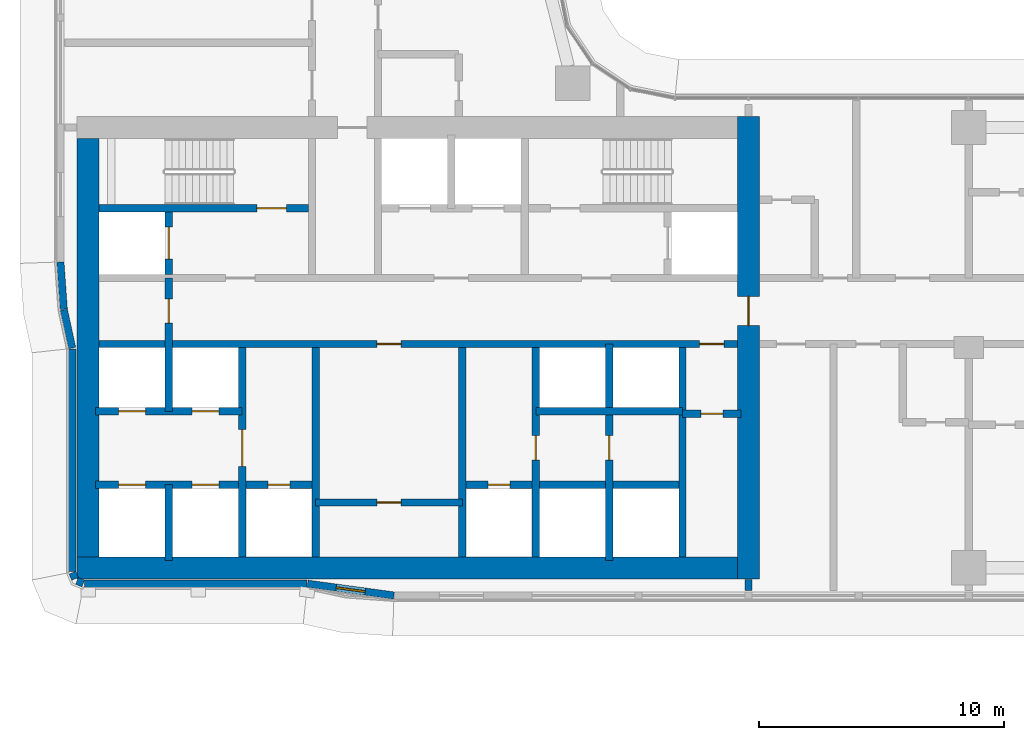
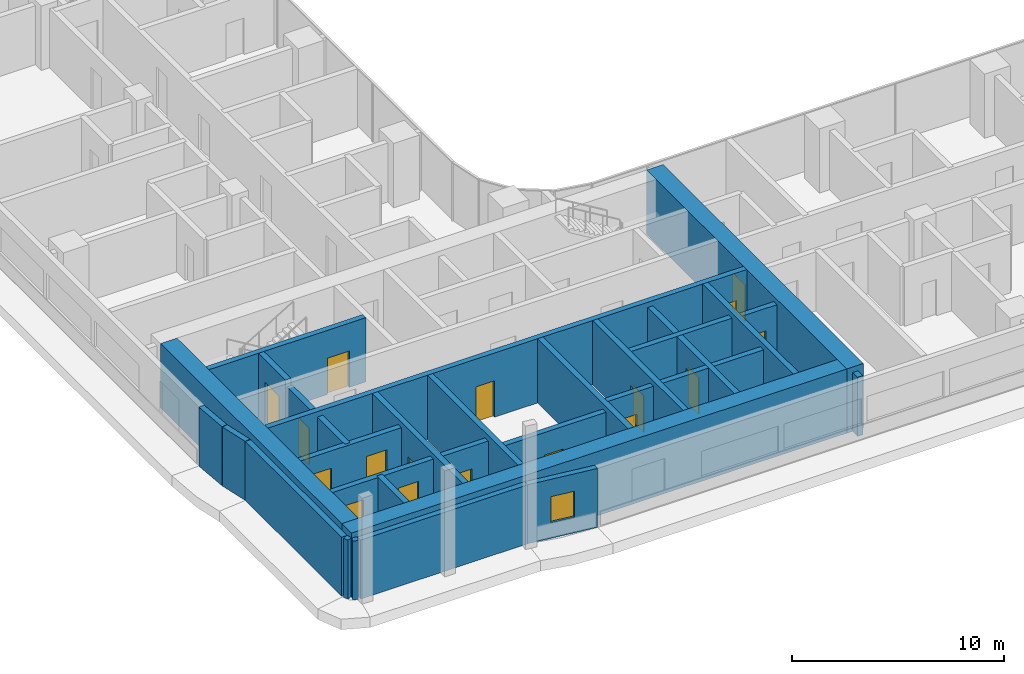
# One storey, part 19 of 39: 28 walls, 17 doors, 1 window, 18 openings.
"""IFC4 building model written with IfcOpenShell, lengths in metres."""

from ifc_helpers import new_model, si_unit, direction, frame, frame_2d, origin, place, context, subcontext, project, spatial, rectangle, extrude, material, layer, layer_set, type_object, element, fill, save


model = new_model("IFC4")

# Units and contexts
model_context = context("Model", 3, precision=1e-05, world=origin(), true_north=direction((0.0, 1.0)))
body_context = subcontext(model_context, "Body", "Model", "MODEL_VIEW")
ifc_project = project(units=[si_unit("LENGTHUNIT", "METRE"), si_unit("AREAUNIT", "SQUARE_METRE"), si_unit("VOLUMEUNIT", "CUBIC_METRE"), si_unit("PLANEANGLEUNIT", "RADIAN"), si_unit("MASSUNIT", "GRAM", prefix="KILO")], contexts=[model_context])

# Site, building, storey
site_placement = place(None, origin())
site = spatial("IfcSite", under=ifc_project, at=site_placement, CompositionType="ELEMENT")
building_placement = place(site_placement, origin())
building = spatial("IfcBuilding", under=site, at=building_placement, Name="Ogive Portal Towers", CompositionType="ELEMENT")
storey_placement = place(building_placement, frame((0.0, 0.0, 44.60009765625)))
storey = spatial("IfcBuildingStorey", under=building, at=storey_placement, Name="L09", CompositionType="ELEMENT", Elevation=44.60009765625)

# Wall, opening, door
ifc_material_1 = material(Name="Concrete C60/75", Category="concrete")
ifc_layer_1 = layer(ifc_material_1, 0.300048828125)
ifc_layer_set_1 = layer_set([ifc_layer_1], Name="CORE WALL 300 C60")
wall_type_1 = type_object("IfcWallType", Name="CORE WALL 300 C60", PredefinedType="SHEAR", material=ifc_layer_set_1)
wall_1_placement = place(storey_placement, frame((37.800048828125, 21.949951171875, 0.0), z_axis=(0.0, 0.0, 1.0), x_axis=(0.0, 1.0, 0.0)))
wall_1 = element("IfcWall", 1, at=wall_1_placement, inside=storey, type_object=wall_type_1, Name="Core wall X1 L09", PredefinedType="SHEAR", context=body_context, shape_type="SweptSolid", body=[
    extrude(rectangle(XDim=8.550048828125, YDim=0.300048828125, at=frame_2d((4.27490234375, 0.0))), origin(), (0.0, 0.0, 1.0), 3.699951171875),
])
opening_1_placement = place(wall_1_placement, frame((3.699951171875, 0.0, 0.0)))
opening_1 = element("IfcOpeningElement", 2, at=opening_1_placement, cuts=wall_1, Name="Opening D02-001", PredefinedType="OPENING", context=body_context, shape_type="SweptSolid", body=[
    extrude(rectangle(XDim=1.5, YDim=2.10009765625, at=frame_2d((0.75, 1.050048828125))), frame((0.0, 0.16015625, 0.0), z_axis=(0.0, -1.0, 0.0), x_axis=(1.0, 0.0, 0.0)), (0.0, 0.0, 1.0), 0.320068359375),
])
ifc_material_2 = material(Name="Steel fire door", Category="steel")
door_type_1 = type_object("IfcDoorType", Name="DT-SWING-1500x2100-FD90S", OperationType="SINGLE_SWING_LEFT", PredefinedType="DOOR", material=ifc_material_2)
door_1_placement = place(opening_1_placement, origin())
door_1 = element("IfcDoor", 3, at=door_1_placement, inside=storey, type_object=door_type_1, Name="Door D02-001", OperationType="SINGLE_SWING_LEFT", OverallHeight=2.10009765625, OverallWidth=1.5, PredefinedType="DOOR", context=body_context, shape_type="SweptSolid", body=[
    extrude(rectangle(XDim=1.5, YDim=2.10009765625, at=frame_2d((0.75, 1.050048828125))), frame((0.0, 0.02490234375, 0.0), z_axis=(0.0, -1.0, 0.0), x_axis=(1.0, 0.0, 0.0)), (0.0, 0.0, 1.0), 0.050048828125),
])
fill(opening_1, door_1)

# Walls
for number, where, z_axis, x_axis, name in (
    (4, (40.800048828125, 21.949951171875, 0.0), (0.0, 0.0, 1.0), (0.0, 1.0, 0.0), "Core wall X2 L09"),
    (5, (46.800048828125, 21.949951171875, 0.0), (0.0, 0.0, 1.0), (0.0, 1.0, 0.0), "Core wall X3 L09"),
):
    element("IfcWall", number, at=place(storey_placement, frame(where, z_axis=z_axis, x_axis=x_axis)), inside=storey, type_object=wall_type_1, Name=name, PredefinedType="SHEAR", context=body_context, shape_type="SweptSolid", body=[
        extrude(rectangle(XDim=8.550048828125, YDim=0.300048828125, at=frame_2d((4.27490234375, 0.0))), origin(), (0.0, 0.0, 1.0), 3.699951171875),
    ])

# Wall, opening, door
wall_2_placement = place(storey_placement, frame((49.800048828125, 21.949951171875, 0.0), z_axis=(0.0, 0.0, 1.0), x_axis=(0.0, 1.0, 0.0)))
wall_2 = element("IfcWall", 6, at=wall_2_placement, inside=storey, type_object=wall_type_1, Name="Core wall X4 L09", PredefinedType="SHEAR", context=body_context, shape_type="SweptSolid", body=[
    extrude(rectangle(XDim=8.550048828125, YDim=0.300048828125, at=frame_2d((4.27490234375, 0.0))), origin(), (0.0, 0.0, 1.0), 3.699951171875),
])
opening_2_placement = place(wall_2_placement, frame((3.949951171875, 0.0, 0.0)))
opening_2 = element("IfcOpeningElement", 7, at=opening_2_placement, cuts=wall_2, Name="Opening D02-023", PredefinedType="OPENING", context=body_context, shape_type="SweptSolid", body=[
    extrude(rectangle(XDim=1.0, YDim=2.10009765625, at=frame_2d((0.5, 1.050048828125))), frame((0.0, 0.16015625, 0.0), z_axis=(0.0, -1.0, 0.0), x_axis=(1.0, 0.0, 0.0)), (0.0, 0.0, 1.0), 0.320068359375),
])
door_type_2 = type_object("IfcDoorType", Name="DT-SWING-1000x2100-FD90S", OperationType="SINGLE_SWING_LEFT", PredefinedType="DOOR", material=ifc_material_2)
door_2_placement = place(opening_2_placement, origin())
door_2 = element("IfcDoor", 8, at=door_2_placement, inside=storey, type_object=door_type_2, Name="Door D02-023", OperationType="SINGLE_SWING_LEFT", OverallHeight=2.10009765625, OverallWidth=1.0, PredefinedType="DOOR", context=body_context, shape_type="SweptSolid", body=[
    extrude(rectangle(XDim=1.0, YDim=2.10009765625, at=frame_2d((0.5, 1.050048828125))), frame((0.0, 0.02490234375, 0.0), z_axis=(0.0, -1.0, 0.0), x_axis=(1.0, 0.0, 0.0)), (0.0, 0.0, 1.0), 0.050048828125),
])
fill(opening_2, door_2)

# Wall
wall_3_placement = place(storey_placement, frame((55.800048828125, 21.949951171875, 0.0), z_axis=(0.0, 0.0, 1.0), x_axis=(0.0, 1.0, 0.0)))
element("IfcWall", 9, at=wall_3_placement, inside=storey, type_object=wall_type_1, Name="Core wall X5 L09", PredefinedType="SHEAR", context=body_context, shape_type="SweptSolid", body=[
    extrude(rectangle(XDim=8.550048828125, YDim=0.300048828125, at=frame_2d((4.27490234375, 0.0))), origin(), (0.0, 0.0, 1.0), 3.699951171875),
])

# Wall, openings, doors
wall_4_placement = place(storey_placement, frame((31.949951171875, 30.64990234375, 0.0), z_axis=(0.0, 0.0, 1.0), x_axis=(1.0, 0.0, 0.0)))
wall_4 = element("IfcWall", 10, at=wall_4_placement, inside=storey, type_object=wall_type_1, Name="Core wall Y1 L09", PredefinedType="SHEAR", context=body_context, shape_type="SweptSolid", body=[
    extrude(rectangle(XDim=26.10009765625, YDim=0.300048828125, at=frame_2d((13.050048828125, 0.0))), origin(), (0.0, 0.0, 1.0), 3.699951171875),
])
opening_3_placement = place(wall_4_placement, frame((24.550048828125, 0.0, 0.0)))
opening_3 = element("IfcOpeningElement", 11, at=opening_3_placement, cuts=wall_4, Name="Opening D02-009", PredefinedType="OPENING", context=body_context, shape_type="SweptSolid", body=[
    extrude(rectangle(XDim=1.0, YDim=2.10009765625, at=frame_2d((0.5, 1.050048828125))), frame((0.0, 0.16015625, 0.0), z_axis=(0.0, -1.0, 0.0), x_axis=(1.0, 0.0, 0.0)), (0.0, 0.0, 1.0), 0.320068359375),
])
opening_4_placement = place(wall_4_placement, frame((11.35009765625, 0.0, 0.0)))
opening_4 = element("IfcOpeningElement", 12, at=opening_4_placement, cuts=wall_4, Name="Opening D02-021", PredefinedType="OPENING", context=body_context, shape_type="SweptSolid", body=[
    extrude(rectangle(XDim=1.0, YDim=2.10009765625, at=frame_2d((0.5, 1.050048828125))), frame((0.0, 0.16015625, 0.0), z_axis=(0.0, -1.0, 0.0), x_axis=(1.0, 0.0, 0.0)), (0.0, 0.0, 1.0), 0.320068359375),
])
door_3_placement = place(opening_3_placement, origin())
door_3 = element("IfcDoor", 13, at=door_3_placement, inside=storey, type_object=door_type_2, Name="Door D02-009", OperationType="SINGLE_SWING_LEFT", OverallHeight=2.10009765625, OverallWidth=1.0, PredefinedType="DOOR", context=body_context, shape_type="SweptSolid", body=[
    extrude(rectangle(XDim=1.0, YDim=2.10009765625, at=frame_2d((0.5, 1.050048828125))), frame((0.0, 0.02490234375, 0.0), z_axis=(0.0, -1.0, 0.0), x_axis=(1.0, 0.0, 0.0)), (0.0, 0.0, 1.0), 0.050048828125),
])
fill(opening_3, door_3)
door_4_placement = place(opening_4_placement, origin())
door_4 = element("IfcDoor", 14, at=door_4_placement, inside=storey, type_object=door_type_2, Name="Door D02-021", OperationType="SINGLE_SWING_LEFT", OverallHeight=2.10009765625, OverallWidth=1.0, PredefinedType="DOOR", context=body_context, shape_type="SweptSolid", body=[
    extrude(rectangle(XDim=1.0, YDim=2.10009765625, at=frame_2d((0.5, 1.050048828125))), frame((0.0, 0.02490234375, 0.0), z_axis=(0.0, -1.0, 0.0), x_axis=(1.0, 0.0, 0.0)), (0.0, 0.0, 1.0), 0.050048828125),
])
fill(opening_4, door_4)

# Wall, opening, door
wall_5_placement = place(storey_placement, frame((31.949951171875, 36.199951171875, 0.0), z_axis=(0.0, 0.0, 1.0), x_axis=(1.0, 0.0, 0.0)))
wall_5 = element("IfcWall", 15, at=wall_5_placement, inside=storey, type_object=wall_type_1, Name="Core wall Y3a L09", PredefinedType="SHEAR", context=body_context, shape_type="SweptSolid", body=[
    extrude(rectangle(XDim=8.550048828125, YDim=0.300048828125, at=frame_2d((4.27490234375, 0.0))), origin(), (0.0, 0.0, 1.0), 3.699951171875),
])
opening_5_placement = place(wall_5_placement, frame((6.449951171875, 0.0, 0.0)))
opening_5 = element("IfcOpeningElement", 16, at=opening_5_placement, cuts=wall_5, Name="Opening D02-005", PredefinedType="OPENING", context=body_context, shape_type="SweptSolid", body=[
    extrude(rectangle(XDim=1.199951171875, YDim=2.10009765625, at=frame_2d((0.60009765625, 1.050048828125))), frame((0.0, 0.16015625, 0.0), z_axis=(0.0, -1.0, 0.0), x_axis=(1.0, 0.0, 0.0)), (0.0, 0.0, 1.0), 0.320068359375),
])
door_type_3 = type_object("IfcDoorType", Name="DT-SWING-1200x2100-FD90S", OperationType="SINGLE_SWING_LEFT", PredefinedType="DOOR", material=ifc_material_2)
door_5_placement = place(opening_5_placement, origin())
door_5 = element("IfcDoor", 17, at=door_5_placement, inside=storey, type_object=door_type_3, Name="Door D02-005", OperationType="SINGLE_SWING_RIGHT", OverallHeight=2.10009765625, OverallWidth=1.199951171875, PredefinedType="DOOR", context=body_context, shape_type="SweptSolid", body=[
    extrude(rectangle(XDim=1.199951171875, YDim=2.10009765625, at=frame_2d((0.60009765625, 1.050048828125))), frame((0.0, 0.02490234375, 0.0), z_axis=(0.0, -1.0, 0.0), x_axis=(1.0, 0.0, 0.0)), (0.0, 0.0, 1.0), 0.050048828125),
])
fill(opening_5, door_5)

wall_6_placement = place(storey_placement, frame((34.800048828125, 33.5, 0.0), z_axis=(0.0, 0.0, 1.0), x_axis=(0.0, 1.0, 0.0)))
wall_6 = element("IfcWall", 18, at=wall_6_placement, inside=storey, type_object=wall_type_1, Name="Core wall X8 L09", PredefinedType="SHEAR", context=body_context, shape_type="SweptSolid", body=[
    extrude(rectangle(XDim=2.550048828125, YDim=0.300048828125, at=frame_2d((1.27490234375, 0.0))), origin(), (0.0, 0.0, 1.0), 3.699951171875),
])
opening_6_placement = place(wall_6_placement, frame((0.625, 0.0, 0.0)))
opening_6 = element("IfcOpeningElement", 19, at=opening_6_placement, cuts=wall_6, Name="Opening D02-019", PredefinedType="OPENING", context=body_context, shape_type="SweptSolid", body=[
    extrude(rectangle(XDim=1.300048828125, YDim=2.39990234375, at=frame_2d((0.64990234375, 1.199951171875))), frame((0.0, 0.16015625, 0.0), z_axis=(0.0, -1.0, 0.0), x_axis=(1.0, 0.0, 0.0)), (0.0, 0.0, 1.0), 0.320068359375),
])
ifc_material_3 = material(Name="Stainless steel", Category="steel")
door_type_4 = type_object("IfcDoorType", Name="DT-LD-1300x2400", OperationType="SLIDING_TO_LEFT", PredefinedType="DOOR", material=ifc_material_3)
door_6_placement = place(opening_6_placement, origin())
door_6 = element("IfcDoor", 20, at=door_6_placement, inside=storey, type_object=door_type_4, Name="Door D02-019", OperationType="SLIDING_TO_LEFT", OverallHeight=2.39990234375, OverallWidth=1.300048828125, PredefinedType="DOOR", context=body_context, shape_type="SweptSolid", body=[
    extrude(rectangle(XDim=1.300048828125, YDim=2.39990234375, at=frame_2d((0.64990234375, 1.199951171875))), frame((0.0, 0.02490234375, 0.0), z_axis=(0.0, -1.0, 0.0), x_axis=(1.0, 0.0, 0.0)), (0.0, 0.0, 1.0), 0.050048828125),
])
fill(opening_6, door_6)

# Walls
ifc_layer_2 = layer(ifc_material_1, 0.89990234375)
ifc_layer_set_2 = layer_set([ifc_layer_2], Name="CORE WALL 900 C60")
wall_type_2 = type_object("IfcWallType", Name="CORE WALL 900 C60", PredefinedType="SHEAR", material=ifc_layer_set_2)
wall_7_placement = place(storey_placement, frame((31.5, 21.949951171875, 0.0), z_axis=(0.0, 0.0, 1.0), x_axis=(0.0, 1.0, 0.0)))
element("IfcWall", 21, at=wall_7_placement, inside=storey, type_object=wall_type_2, Name="Core wall W L09", PredefinedType="SHEAR", context=body_context, shape_type="SweptSolid", body=[
    extrude(rectangle(XDim=17.10009765625, YDim=0.89990234375, at=frame_2d((8.550048828125, 0.0))), origin(), (0.0, 0.0, 1.0), 3.699951171875),
])
wall_8_placement = place(storey_placement, frame((31.050048828125, 21.5, 0.0), z_axis=(0.0, 0.0, 1.0), x_axis=(1.0, 0.0, 0.0)))
element("IfcWall", 22, at=wall_8_placement, inside=storey, type_object=wall_type_2, Name="Core wall S L09", PredefinedType="SHEAR", context=body_context, shape_type="SweptSolid", body=[
    extrude(rectangle(XDim=27.0, YDim=0.89990234375, at=frame_2d((13.5, 0.0))), origin(), (0.0, 0.0, 1.0), 3.699951171875),
])

# Wall, opening, door
wall_9_placement = place(storey_placement, frame((58.5, 21.050048828125, 0.0), z_axis=(0.0, 0.0, 1.0), x_axis=(0.0, 1.0, 0.0)))
wall_9 = element("IfcWall", 23, at=wall_9_placement, inside=storey, type_object=wall_type_2, Name="Core wall E L09", PredefinedType="SHEAR", context=body_context, shape_type="SweptSolid", body=[
    extrude(rectangle(XDim=18.89990234375, YDim=0.89990234375, at=frame_2d((9.449951171875, 0.0))), origin(), (0.0, 0.0, 1.0), 3.699951171875),
])
opening_7_placement = place(wall_9_placement, frame((10.35009765625, 0.0, 0.0)))
opening_7 = element("IfcOpeningElement", 24, at=opening_7_placement, cuts=wall_9, Name="Opening D02-011", PredefinedType="OPENING", context=body_context, shape_type="SweptSolid", body=[
    extrude(rectangle(XDim=1.199951171875, YDim=2.10009765625, at=frame_2d((0.60009765625, 1.050048828125))), frame((0.0, 0.4599609375, 0.0), z_axis=(0.0, -1.0, 0.0), x_axis=(1.0, 0.0, 0.0)), (0.0, 0.0, 1.0), 0.919921875),
])
door_7_placement = place(opening_7_placement, origin())
door_7 = element("IfcDoor", 25, at=door_7_placement, inside=storey, type_object=door_type_3, Name="Door D02-011", OperationType="SINGLE_SWING_LEFT", OverallHeight=2.10009765625, OverallWidth=1.199951171875, PredefinedType="DOOR", context=body_context, shape_type="SweptSolid", body=[
    extrude(rectangle(XDim=1.199951171875, YDim=2.10009765625, at=frame_2d((0.60009765625, 1.050048828125))), frame((0.0, 0.02490234375, 0.0), z_axis=(0.0, -1.0, 0.0), x_axis=(1.0, 0.0, 0.0)), (0.0, 0.0, 1.0), 0.050048828125),
])
fill(opening_7, door_7)

# Walls
ifc_material_4 = material(Name="Limestone cladding on lightweight block wall", Category="masonry")
ifc_layer_3 = layer(ifc_material_4, 0.300048828125)
ifc_layer_set_3 = layer_set([ifc_layer_3], Name="EXTERNAL WALL 300 STONE")
wall_type_3 = type_object("IfcWallType", Name="EXTERNAL WALL 300 STONE", PredefinedType="SOLIDWALL", material=ifc_layer_set_3)
wall_10_placement = place(storey_placement, frame((30.85009765625, 30.45361328125, 0.0), z_axis=(0.0, 0.0, 1.0), x_axis=(0.0, -1.0, 0.0)))
element("IfcWall", 26, at=wall_10_placement, inside=storey, type_object=wall_type_3, Name="A:L09:f00:r0:wall", PredefinedType="SOLIDWALL", context=body_context, shape_type="SweptSolid", body=[
    extrude(rectangle(XDim=9.093994140625, YDim=0.300048828125, at=frame_2d((4.546875, 0.0))), origin(), (0.0, 0.0, 1.0), 3.39990234375),
])
for number, where, z_axis, x_axis, name in (
    (27, (30.861328125, 21.30224609375, 0.0), (0.0, 0.0, 1.0), (0.38297812142, -0.923757413239, 0.0), "A:L09:f01:r0:wall"),
    (28, (31.0478515625, 20.966796875, 0.0), (0.0, 0.0, 1.0), (0.923757413239, -0.38297812142, 0.0), "A:L09:f02:r0:wall"),
):
    element("IfcWall", number, at=place(storey_placement, frame(where, z_axis=z_axis, x_axis=x_axis)), inside=storey, type_object=wall_type_3, Name=name, PredefinedType="SOLIDWALL", context=body_context, shape_type="SweptSolid", body=[
        extrude(rectangle(XDim=0.275390625, YDim=0.300048828125, at=frame_2d((0.1376953125, 0.0))), origin(), (0.0, 0.0, 1.0), 3.39990234375),
    ])
wall_11_placement = place(storey_placement, frame((31.359619140625, 20.85009765625, 0.0), z_axis=(0.0, 0.0, 1.0), x_axis=(1.0, 0.0, 0.0)))
element("IfcWall", 29, at=wall_11_placement, inside=storey, type_object=wall_type_3, Name="A:L09:f03:r0:wall", PredefinedType="SOLIDWALL", context=body_context, shape_type="SweptSolid", body=[
    extrude(rectangle(XDim=9.093994140625, YDim=0.300048828125, at=frame_2d((4.546875, 0.0))), origin(), (0.0, 0.0, 1.0), 3.39990234375),
])

# Wall, opening, window
wall_12_placement = place(storey_placement, frame((40.47412109375, 20.8486328125, 0.0), z_axis=(0.0, 0.0, 1.0), x_axis=(0.990778329255, -0.135492812649, 0.0)))
wall_12 = element("IfcWall", 30, at=wall_12_placement, inside=storey, type_object=wall_type_3, Name="A:L09:f04:r0:wall", PredefinedType="SOLIDWALL", context=body_context, shape_type="SweptSolid", body=[
    extrude(rectangle(XDim=3.55859375, YDim=0.300048828125, at=frame_2d((1.779296875, 0.0))), origin(), (0.0, 0.0, 1.0), 3.39990234375),
])
opening_8_placement = place(wall_12_placement, frame((1.179443359375, 0.0, 0.89990234375)))
opening_8 = element("IfcOpeningElement", 31, at=opening_8_placement, cuts=wall_12, Name="Opening WN9", PredefinedType="OPENING", context=body_context, shape_type="SweptSolid", body=[
    extrude(rectangle(XDim=1.199951171875, YDim=1.5, at=frame_2d((0.60009765625, 0.75))), frame((0.0, 0.16015625, 0.0), z_axis=(0.0, -1.0, 0.0), x_axis=(1.0, 0.0, 0.0)), (0.0, 0.0, 1.0), 0.320068359375),
])
ifc_material_5 = material(Name="Glass, clear low-iron insulated glazing", Category="glass")
window_type = type_object("IfcWindowType", Name="WINDOW HOTEL CASEMENT 1200x1500", PartitioningType="DOUBLE_PANEL_VERTICAL", PredefinedType="WINDOW", material=ifc_material_5)
window_placement = place(opening_8_placement, origin())
window = element("IfcWindow", 32, at=window_placement, inside=storey, type_object=window_type, Name="A:L09:f04:r0:w0", OverallHeight=1.5, OverallWidth=1.199951171875, PartitioningType="SINGLE_PANEL", PredefinedType="WINDOW", context=body_context, shape_type="SweptSolid", body=[
    extrude(rectangle(XDim=1.199951171875, YDim=1.5, at=frame_2d((0.60009765625, 0.75))), frame((0.0, 0.030029296875, 0.0), z_axis=(0.0, -1.0, 0.0), x_axis=(1.0, 0.0, 0.0)), (0.0, 0.0, 1.0), 0.06005859375),
])
fill(opening_8, window)

# Walls
wall_13_placement = place(storey_placement, frame((30.365478515625, 34.0, 0.0), z_axis=(0.0, 0.0, 1.0), x_axis=(0.071300859436, -0.99745485484, 0.0)))
element("IfcWall", 33, at=wall_13_placement, inside=storey, type_object=wall_type_3, Name="A:L09:f24:r0:wall", PredefinedType="SOLIDWALL", context=body_context, shape_type="SweptSolid", body=[
    extrude(rectangle(XDim=1.9345703125, YDim=0.300048828125, at=frame_2d((0.96728515625, 0.0))), origin(), (0.0, 0.0, 1.0), 3.39990234375),
])
wall_14_placement = place(storey_placement, frame((30.50634765625, 32.049072265625, 0.0), z_axis=(0.0, 0.0, 1.0), x_axis=(0.212695686462, -0.977118490747, 0.0)))
element("IfcWall", 34, at=wall_14_placement, inside=storey, type_object=wall_type_3, Name="A:L09:f25:r0:wall", PredefinedType="SOLIDWALL", context=body_context, shape_type="SweptSolid", body=[
    extrude(rectangle(XDim=1.60009765625, YDim=0.300048828125, at=frame_2d((0.800048828125, 0.0))), origin(), (0.0, 0.0, 1.0), 3.39990234375),
])

# Wall, opening, door
ifc_material_6 = material(Name="Gypsum board partition on steel studs", Category="steel")
ifc_layer_4 = layer(ifc_material_6, 0.300048828125)
ifc_layer_set_4 = layer_set([ifc_layer_4], Name="WT-PART-300")
wall_type_4 = type_object("IfcWallType", Name="WT-PART-300", PredefinedType="PARTITIONING", material=ifc_layer_set_4)
wall_15_placement = place(storey_placement, frame((40.800048828125, 24.173095703125, 0.0), z_axis=(0.0, 0.0, 1.0), x_axis=(1.0, 0.0, 0.0)))
wall_15 = element("IfcWall", 35, at=wall_15_placement, inside=storey, type_object=wall_type_4, Name="Wall pw:001:L09", PredefinedType="PARTITIONING", context=body_context, shape_type="SweptSolid", body=[
    extrude(rectangle(XDim=6.0, YDim=0.300048828125, at=frame_2d((3.0, 0.0))), origin(), (0.0, 0.0, 1.0), 3.39990234375),
])
opening_9_placement = place(wall_15_placement, frame((2.5, 0.0, 0.0)))
opening_9 = element("IfcOpeningElement", 36, at=opening_9_placement, cuts=wall_15, Name="Opening D02-022", PredefinedType="OPENING", context=body_context, shape_type="SweptSolid", body=[
    extrude(rectangle(XDim=1.0, YDim=2.10009765625, at=frame_2d((0.5, 1.050048828125))), frame((0.0, 0.16015625, 0.0), z_axis=(0.0, -1.0, 0.0), x_axis=(1.0, 0.0, 0.0)), (0.0, 0.0, 1.0), 0.320068359375),
])
door_type_5 = type_object("IfcDoorType", Name="DT-SWING-1000x2100-FD60S", OperationType="SINGLE_SWING_LEFT", PredefinedType="DOOR", material=ifc_material_2)
door_8_placement = place(opening_9_placement, origin())
door_8 = element("IfcDoor", 37, at=door_8_placement, inside=storey, type_object=door_type_5, Name="Riser access door D02-022", OperationType="SINGLE_SWING_RIGHT", OverallHeight=2.10009765625, OverallWidth=1.0, PredefinedType="DOOR", context=body_context, shape_type="SweptSolid", body=[
    extrude(rectangle(XDim=1.0, YDim=2.10009765625, at=frame_2d((0.5, 1.050048828125))), frame((0.0, 0.02490234375, 0.0), z_axis=(0.0, -1.0, 0.0), x_axis=(1.0, 0.0, 0.0)), (0.0, 0.0, 1.0), 0.050048828125),
])
fill(opening_9, door_8)

wall_16_placement = place(storey_placement, frame((55.800048828125, 27.800048828125, 0.0), z_axis=(0.0, 0.0, 1.0), x_axis=(1.0, 0.0, 0.0)))
wall_16 = element("IfcWall", 38, at=wall_16_placement, inside=storey, type_object=wall_type_4, Name="Wall pw:004:L09", PredefinedType="PARTITIONING", context=body_context, shape_type="SweptSolid", body=[
    extrude(rectangle(XDim=2.39990234375, YDim=0.300048828125, at=frame_2d((1.199951171875, 0.0))), origin(), (0.0, 0.0, 1.0), 3.39990234375),
])
opening_10_placement = place(wall_16_placement, frame((0.75, 0.0, 0.0)))
opening_10 = element("IfcOpeningElement", 39, at=opening_10_placement, cuts=wall_16, Name="Opening D02-010", PredefinedType="OPENING", context=body_context, shape_type="SweptSolid", body=[
    extrude(rectangle(XDim=0.89990234375, YDim=2.10009765625, at=frame_2d((0.449951171875, 1.050048828125))), frame((0.0, 0.16015625, 0.0), z_axis=(0.0, -1.0, 0.0), x_axis=(1.0, 0.0, 0.0)), (0.0, 0.0, 1.0), 0.320068359375),
])
door_type_6 = type_object("IfcDoorType", Name="DT-SWING-900x2100-FD60S", OperationType="SINGLE_SWING_LEFT", PredefinedType="DOOR", material=ifc_material_2)
door_9_placement = place(opening_10_placement, origin())
door_9 = element("IfcDoor", 40, at=door_9_placement, inside=storey, type_object=door_type_6, Name="Door D02-010", OperationType="SINGLE_SWING_RIGHT", OverallHeight=2.10009765625, OverallWidth=0.89990234375, PredefinedType="DOOR", context=body_context, shape_type="SweptSolid", body=[
    extrude(rectangle(XDim=0.89990234375, YDim=2.10009765625, at=frame_2d((0.449951171875, 1.050048828125))), frame((0.0, 0.02490234375, 0.0), z_axis=(0.0, -1.0, 0.0), x_axis=(1.0, 0.0, 0.0)), (0.0, 0.0, 1.0), 0.050048828125),
])
fill(opening_10, door_9)

# Wall
ifc_layer_5 = layer(ifc_material_6, 0.300048828125)
ifc_layer_set_5 = layer_set([ifc_layer_5], Name="WT-PART-300-EI 60")
wall_type_5 = type_object("IfcWallType", Name="WT-PART-300-EI 60", PredefinedType="PARTITIONING", material=ifc_layer_set_5)
wall_17_placement = place(storey_placement, frame((58.5, 20.56494140625, 0.0), z_axis=(0.0, 0.0, 1.0), x_axis=(0.0, 1.0, 0.0)))
element("IfcWall", 41, at=wall_17_placement, inside=storey, type_object=wall_type_5, Name="Wall L09:w046", PredefinedType="PARTITIONING", context=body_context, shape_type="SweptSolid", body=[
    extrude(rectangle(XDim=0.465087890625, YDim=0.300048828125, at=frame_2d((0.232421875, 0.0))), origin(), (0.0, 0.0, 1.0), 3.39990234375),
])

# Wall, openings, doors
ifc_material_7 = material(Name="Concrete C40/50", Category="concrete")
ifc_layer_6 = layer(ifc_material_7, 0.300048828125)
ifc_layer_set_6 = layer_set([ifc_layer_6], Name="WT-SHAFT-300")
wall_type_6 = type_object("IfcWallType", Name="WT-SHAFT-300", PredefinedType="SOLIDWALL", material=ifc_layer_set_6)
wall_18_placement = place(storey_placement, frame((31.800048828125, 24.89990234375, 0.0), z_axis=(0.0, 0.0, 1.0), x_axis=(1.0, 0.0, 0.0)))
wall_18 = element("IfcWall", 42, at=wall_18_placement, inside=storey, type_object=wall_type_6, Name="Wall pw:002:L09", PredefinedType="SOLIDWALL", context=body_context, shape_type="SweptSolid", body=[
    extrude(rectangle(XDim=9.0, YDim=0.300048828125, at=frame_2d((4.5, 0.0))), origin(), (0.0, 0.0, 1.0), 3.39990234375),
])
opening_11_placement = place(wall_18_placement, frame((7.050048828125, 0.0, 0.0)))
opening_11 = element("IfcOpeningElement", 43, at=opening_11_placement, cuts=wall_18, Name="Opening D02-007", PredefinedType="OPENING", context=body_context, shape_type="SweptSolid", body=[
    extrude(rectangle(XDim=0.89990234375, YDim=2.10009765625, at=frame_2d((0.449951171875, 1.050048828125))), frame((0.0, 0.16015625, 0.0), z_axis=(0.0, -1.0, 0.0), x_axis=(1.0, 0.0, 0.0)), (0.0, 0.0, 1.0), 0.320068359375),
])
opening_12_placement = place(wall_18_placement, frame((0.949951171875, 0.0, 0.0)))
opening_12 = element("IfcOpeningElement", 44, at=opening_12_placement, cuts=wall_18, Name="Opening D02-013", PredefinedType="OPENING", context=body_context, shape_type="SweptSolid", body=[
    extrude(rectangle(XDim=1.10009765625, YDim=2.39990234375, at=frame_2d((0.550048828125, 1.199951171875))), frame((0.0, 0.16015625, 0.0), z_axis=(0.0, -1.0, 0.0), x_axis=(1.0, 0.0, 0.0)), (0.0, 0.0, 1.0), 0.320068359375),
])
opening_13_placement = place(wall_18_placement, frame((3.949951171875, 0.0, 0.0)))
opening_13 = element("IfcOpeningElement", 45, at=opening_13_placement, cuts=wall_18, Name="Opening D02-014", PredefinedType="OPENING", context=body_context, shape_type="SweptSolid", body=[
    extrude(rectangle(XDim=1.10009765625, YDim=2.39990234375, at=frame_2d((0.550048828125, 1.199951171875))), frame((0.0, 0.16015625, 0.0), z_axis=(0.0, -1.0, 0.0), x_axis=(1.0, 0.0, 0.0)), (0.0, 0.0, 1.0), 0.320068359375),
])
door_type_7 = type_object("IfcDoorType", Name="DT-LD-1100x2400", OperationType="SLIDING_TO_LEFT", PredefinedType="DOOR", material=ifc_material_3)
door_10_placement = place(opening_12_placement, origin())
door_10 = element("IfcDoor", 46, at=door_10_placement, inside=storey, type_object=door_type_7, Name="Door D02-013", OperationType="SLIDING_TO_LEFT", OverallHeight=2.39990234375, OverallWidth=1.10009765625, PredefinedType="DOOR", context=body_context, shape_type="SweptSolid", body=[
    extrude(rectangle(XDim=1.10009765625, YDim=2.39990234375, at=frame_2d((0.550048828125, 1.199951171875))), frame((0.0, 0.02490234375, 0.0), z_axis=(0.0, -1.0, 0.0), x_axis=(1.0, 0.0, 0.0)), (0.0, 0.0, 1.0), 0.050048828125),
])
fill(opening_12, door_10)
door_11_placement = place(opening_13_placement, origin())
door_11 = element("IfcDoor", 47, at=door_11_placement, inside=storey, type_object=door_type_7, Name="Door D02-014", OperationType="SLIDING_TO_LEFT", OverallHeight=2.39990234375, OverallWidth=1.10009765625, PredefinedType="DOOR", context=body_context, shape_type="SweptSolid", body=[
    extrude(rectangle(XDim=1.10009765625, YDim=2.39990234375, at=frame_2d((0.550048828125, 1.199951171875))), frame((0.0, 0.02490234375, 0.0), z_axis=(0.0, -1.0, 0.0), x_axis=(1.0, 0.0, 0.0)), (0.0, 0.0, 1.0), 0.050048828125),
])
fill(opening_13, door_11)
door_type_8 = type_object("IfcDoorType", Name="DT-SWING-900x2100-FD90S", OperationType="SINGLE_SWING_LEFT", PredefinedType="DOOR", material=ifc_material_2)
door_12_placement = place(opening_11_placement, origin())
door_12 = element("IfcDoor", 48, at=door_12_placement, inside=storey, type_object=door_type_8, Name="Riser access door D02-007", OperationType="SINGLE_SWING_LEFT", OverallHeight=2.10009765625, OverallWidth=0.89990234375, PredefinedType="DOOR", context=body_context, shape_type="SweptSolid", body=[
    extrude(rectangle(XDim=0.89990234375, YDim=2.10009765625, at=frame_2d((0.449951171875, 1.050048828125))), frame((0.0, 0.02490234375, 0.0), z_axis=(0.0, -1.0, 0.0), x_axis=(1.0, 0.0, 0.0)), (0.0, 0.0, 1.0), 0.050048828125),
])
fill(opening_11, door_12)

# Wall, opening, door
wall_19_placement = place(storey_placement, frame((46.800048828125, 24.89990234375, 0.0), z_axis=(0.0, 0.0, 1.0), x_axis=(1.0, 0.0, 0.0)))
wall_19 = element("IfcWall", 49, at=wall_19_placement, inside=storey, type_object=wall_type_6, Name="Wall pw:003:L09", PredefinedType="SOLIDWALL", context=body_context, shape_type="SweptSolid", body=[
    extrude(rectangle(XDim=9.0, YDim=0.300048828125, at=frame_2d((4.5, 0.0))), origin(), (0.0, 0.0, 1.0), 3.39990234375),
])
opening_14_placement = place(wall_19_placement, frame((1.050048828125, 0.0, 0.0)))
opening_14 = element("IfcOpeningElement", 50, at=opening_14_placement, cuts=wall_19, Name="Opening D02-008", PredefinedType="OPENING", context=body_context, shape_type="SweptSolid", body=[
    extrude(rectangle(XDim=0.89990234375, YDim=2.10009765625, at=frame_2d((0.449951171875, 1.050048828125))), frame((0.0, 0.16015625, 0.0), z_axis=(0.0, -1.0, 0.0), x_axis=(1.0, 0.0, 0.0)), (0.0, 0.0, 1.0), 0.320068359375),
])
door_13_placement = place(opening_14_placement, origin())
door_13 = element("IfcDoor", 51, at=door_13_placement, inside=storey, type_object=door_type_8, Name="Riser access door D02-008", OperationType="SINGLE_SWING_RIGHT", OverallHeight=2.10009765625, OverallWidth=0.89990234375, PredefinedType="DOOR", context=body_context, shape_type="SweptSolid", body=[
    extrude(rectangle(XDim=0.89990234375, YDim=2.10009765625, at=frame_2d((0.449951171875, 1.050048828125))), frame((0.0, 0.02490234375, 0.0), z_axis=(0.0, -1.0, 0.0), x_axis=(1.0, 0.0, 0.0)), (0.0, 0.0, 1.0), 0.050048828125),
])
fill(opening_14, door_13)

# Wall, openings, doors
wall_20_placement = place(storey_placement, frame((31.800048828125, 27.89990234375, 0.0), z_axis=(0.0, 0.0, 1.0), x_axis=(1.0, 0.0, 0.0)))
wall_20 = element("IfcWall", 52, at=wall_20_placement, inside=storey, type_object=wall_type_6, Name="Wall pw:005:L09", PredefinedType="SOLIDWALL", context=body_context, shape_type="SweptSolid", body=[
    extrude(rectangle(XDim=6.0, YDim=0.300048828125, at=frame_2d((3.0, 0.0))), origin(), (0.0, 0.0, 1.0), 3.39990234375),
])
opening_15_placement = place(wall_20_placement, frame((0.949951171875, 0.0, 0.0)))
opening_15 = element("IfcOpeningElement", 53, at=opening_15_placement, cuts=wall_20, Name="Opening D02-015", PredefinedType="OPENING", context=body_context, shape_type="SweptSolid", body=[
    extrude(rectangle(XDim=1.10009765625, YDim=2.39990234375, at=frame_2d((0.550048828125, 1.199951171875))), frame((0.0, 0.16015625, 0.0), z_axis=(0.0, -1.0, 0.0), x_axis=(1.0, 0.0, 0.0)), (0.0, 0.0, 1.0), 0.320068359375),
])
opening_16_placement = place(wall_20_placement, frame((3.949951171875, 0.0, 0.0)))
opening_16 = element("IfcOpeningElement", 54, at=opening_16_placement, cuts=wall_20, Name="Opening D02-016", PredefinedType="OPENING", context=body_context, shape_type="SweptSolid", body=[
    extrude(rectangle(XDim=1.10009765625, YDim=2.39990234375, at=frame_2d((0.550048828125, 1.199951171875))), frame((0.0, 0.16015625, 0.0), z_axis=(0.0, -1.0, 0.0), x_axis=(1.0, 0.0, 0.0)), (0.0, 0.0, 1.0), 0.320068359375),
])
door_14_placement = place(opening_15_placement, origin())
door_14 = element("IfcDoor", 55, at=door_14_placement, inside=storey, type_object=door_type_7, Name="Door D02-015", OperationType="SLIDING_TO_LEFT", OverallHeight=2.39990234375, OverallWidth=1.10009765625, PredefinedType="DOOR", context=body_context, shape_type="SweptSolid", body=[
    extrude(rectangle(XDim=1.10009765625, YDim=2.39990234375, at=frame_2d((0.550048828125, 1.199951171875))), frame((0.0, 0.02490234375, 0.0), z_axis=(0.0, -1.0, 0.0), x_axis=(1.0, 0.0, 0.0)), (0.0, 0.0, 1.0), 0.050048828125),
])
fill(opening_15, door_14)
door_15_placement = place(opening_16_placement, origin())
door_15 = element("IfcDoor", 56, at=door_15_placement, inside=storey, type_object=door_type_7, Name="Door D02-016", OperationType="SLIDING_TO_LEFT", OverallHeight=2.39990234375, OverallWidth=1.10009765625, PredefinedType="DOOR", context=body_context, shape_type="SweptSolid", body=[
    extrude(rectangle(XDim=1.10009765625, YDim=2.39990234375, at=frame_2d((0.550048828125, 1.199951171875))), frame((0.0, 0.02490234375, 0.0), z_axis=(0.0, -1.0, 0.0), x_axis=(1.0, 0.0, 0.0)), (0.0, 0.0, 1.0), 0.050048828125),
])
fill(opening_16, door_15)

# Walls
wall_21_placement = place(storey_placement, frame((49.800048828125, 27.89990234375, 0.0), z_axis=(0.0, 0.0, 1.0), x_axis=(1.0, 0.0, 0.0)))
element("IfcWall", 57, at=wall_21_placement, inside=storey, type_object=wall_type_6, Name="Wall pw:006:L09", PredefinedType="SOLIDWALL", context=body_context, shape_type="SweptSolid", body=[
    extrude(rectangle(XDim=6.0, YDim=0.300048828125, at=frame_2d((3.0, 0.0))), origin(), (0.0, 0.0, 1.0), 3.39990234375),
])
wall_22_placement = place(storey_placement, frame((34.800048828125, 21.800048828125, 0.0), z_axis=(0.0, 0.0, 1.0), x_axis=(0.0, 1.0, 0.0)))
element("IfcWall", 58, at=wall_22_placement, inside=storey, type_object=wall_type_6, Name="Wall pw:007:L09", PredefinedType="SOLIDWALL", context=body_context, shape_type="SweptSolid", body=[
    extrude(rectangle(XDim=3.099853515625, YDim=0.300048828125, at=frame_2d((1.5498046875, 0.0))), origin(), (0.0, 0.0, 1.0), 3.39990234375),
])

# Wall, opening, door
wall_23_placement = place(storey_placement, frame((34.800048828125, 27.89990234375, 0.0), z_axis=(0.0, 0.0, 1.0), x_axis=(0.0, 1.0, 0.0)))
wall_23 = element("IfcWall", 59, at=wall_23_placement, inside=storey, type_object=wall_type_6, Name="Wall pw:008:L09", PredefinedType="SOLIDWALL", context=body_context, shape_type="SweptSolid", body=[
    extrude(rectangle(XDim=5.4501953125, YDim=0.300048828125, at=frame_2d((2.72509765625, 0.0))), origin(), (0.0, 0.0, 1.0), 3.39990234375),
])
opening_17_placement = place(wall_23_placement, frame((3.60009765625, 0.0, 0.0)))
opening_17 = element("IfcOpeningElement", 60, at=opening_17_placement, cuts=wall_23, Name="Opening D02-025", PredefinedType="OPENING", context=body_context, shape_type="SweptSolid", body=[
    extrude(rectangle(XDim=1.0, YDim=2.10009765625, at=frame_2d((0.5, 1.050048828125))), frame((0.0, 0.16015625, 0.0), z_axis=(0.0, -1.0, 0.0), x_axis=(1.0, 0.0, 0.0)), (0.0, 0.0, 1.0), 0.320068359375),
])
door_16_placement = place(opening_17_placement, origin())
door_16 = element("IfcDoor", 61, at=door_16_placement, inside=storey, type_object=door_type_2, Name="Door D02-025", OperationType="SINGLE_SWING_LEFT", OverallHeight=2.10009765625, OverallWidth=1.0, PredefinedType="DOOR", context=body_context, shape_type="SweptSolid", body=[
    extrude(rectangle(XDim=1.0, YDim=2.10009765625, at=frame_2d((0.5, 1.050048828125))), frame((0.0, 0.02490234375, 0.0), z_axis=(0.0, -1.0, 0.0), x_axis=(1.0, 0.0, 0.0)), (0.0, 0.0, 1.0), 0.050048828125),
])
fill(opening_17, door_16)

wall_24_placement = place(storey_placement, frame((52.800048828125, 21.800048828125, 0.0), z_axis=(0.0, 0.0, 1.0), x_axis=(0.0, 1.0, 0.0)))
wall_24 = element("IfcWall", 62, at=wall_24_placement, inside=storey, type_object=wall_type_6, Name="Wall pw:010:L09", PredefinedType="SOLIDWALL", context=body_context, shape_type="SweptSolid", body=[
    extrude(rectangle(XDim=8.849853515625, YDim=0.300048828125, at=frame_2d((4.4248046875, 0.0))), origin(), (0.0, 0.0, 1.0), 3.39990234375),
])
opening_18_placement = place(wall_24_placement, frame((4.10009765625, 0.0, 0.0)))
opening_18 = element("IfcOpeningElement", 63, at=opening_18_placement, cuts=wall_24, Name="Opening D02-024", PredefinedType="OPENING", context=body_context, shape_type="SweptSolid", body=[
    extrude(rectangle(XDim=1.0, YDim=2.10009765625, at=frame_2d((0.5, 1.050048828125))), frame((0.0, 0.16015625, 0.0), z_axis=(0.0, -1.0, 0.0), x_axis=(1.0, 0.0, 0.0)), (0.0, 0.0, 1.0), 0.320068359375),
])
door_17_placement = place(opening_18_placement, origin())
door_17 = element("IfcDoor", 64, at=door_17_placement, inside=storey, type_object=door_type_2, Name="Door D02-024", OperationType="SINGLE_SWING_RIGHT", OverallHeight=2.10009765625, OverallWidth=1.0, PredefinedType="DOOR", context=body_context, shape_type="SweptSolid", body=[
    extrude(rectangle(XDim=1.0, YDim=2.10009765625, at=frame_2d((0.5, 1.050048828125))), frame((0.0, 0.02490234375, 0.0), z_axis=(0.0, -1.0, 0.0), x_axis=(1.0, 0.0, 0.0)), (0.0, 0.0, 1.0), 0.050048828125),
])
fill(opening_18, door_17)

save(model, "model.ifc")
